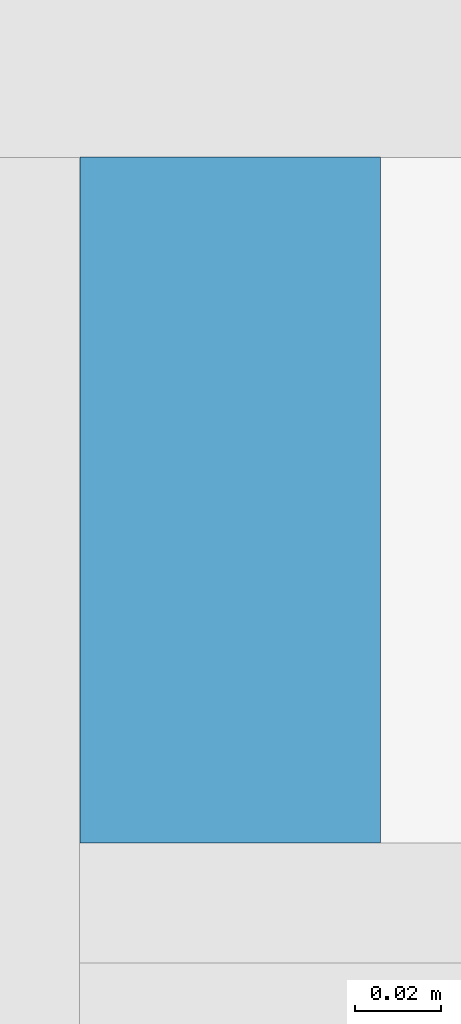
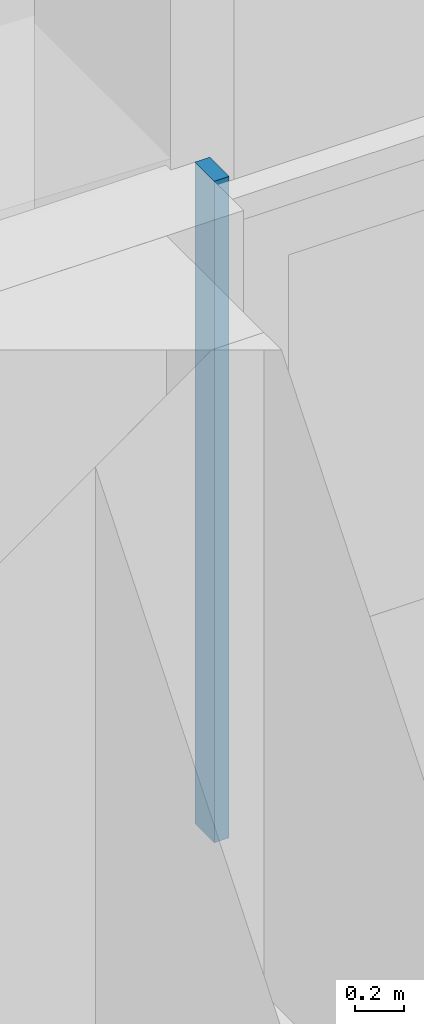
# One storey, part 10 of 31: 1 member, 1 element without a shape of its own.
"""IFC4 building model written with IfcOpenShell, lengths in metres."""

from ifc_helpers import new_model, si_unit, direction, frame, origin, origin_2d, place, context, subcontext, project, spatial, rectangle, extrude, material, material_profile, profile_set, type_object, element, aggregate, save


model = new_model("IFC4")

# Units and contexts
model_context = context("Model", 3, precision=1e-05, world=origin(), true_north=direction((0.0, 1.0)))
body_context = subcontext(model_context, "Body", "Model", "MODEL_VIEW")
ifc_project = project(units=[si_unit("LENGTHUNIT", "METRE"), si_unit("AREAUNIT", "SQUARE_METRE"), si_unit("VOLUMEUNIT", "CUBIC_METRE"), si_unit("PLANEANGLEUNIT", "RADIAN"), si_unit("MASSUNIT", "GRAM", prefix="KILO")], contexts=[model_context])

# Site, building, storey
site_placement = place(None, origin())
site = spatial("IfcSite", under=ifc_project, at=site_placement, CompositionType="ELEMENT")
building_placement = place(site_placement, origin())
building = spatial("IfcBuilding", under=site, at=building_placement, Name="Saffron Gate Tower", CompositionType="ELEMENT")
storey_placement = place(building_placement, frame((0.0, 0.0, 147.449951171875)))
storey = spatial("IfcBuildingStorey", under=building, at=storey_placement, Name="L35", CompositionType="ELEMENT", Elevation=147.449951171875)

# Curtain wall, member
ifc_material = material(Name="Aluminium, bronze anodised", Category="aluminium")
curtain_wall_type = type_object("IfcCurtainWallType", Name="CWS3 curtain wall rear facade", PredefinedType="NOTDEFINED", material=ifc_material)
curtain_wall_placement = place(storey_placement, origin())
curtain_wall = element("IfcCurtainWall", 1, at=curtain_wall_placement, inside=storey, type_object=curtain_wall_type, Name="CWS3 run 7", PredefinedType="NOTDEFINED")
ifc_material_profile = material_profile(ifc_material, rectangle(XDim=0.159912109375, YDim=0.070068359375, at=origin_2d()))
ifc_profile_set = profile_set([ifc_material_profile], Name="Aluminium, bronze anodised")
member_type = type_object("IfcMemberType", Name="CWS3 mullion 70x160", PredefinedType="MULLION", material=ifc_profile_set)
member_placement = place(storey_placement, frame((108.60009765625, 75.52001953125, 0.0), z_axis=(0.0, 0.0, 1.0), x_axis=(0.0, -1.0, 0.0)))
member = element("IfcMember", 2, at=member_placement, type_object=member_type, Name="CWS3 mullion 3", PredefinedType="MULLION", context=body_context, shape_type="SweptSolid", body=[
    extrude(rectangle(XDim=0.159912109375, YDim=0.070068359375, at=origin_2d()), origin(), (0.0, 0.0, 1.0), 3.320068359375),
])
aggregate(curtain_wall, [member])

save(model, "model.ifc")
